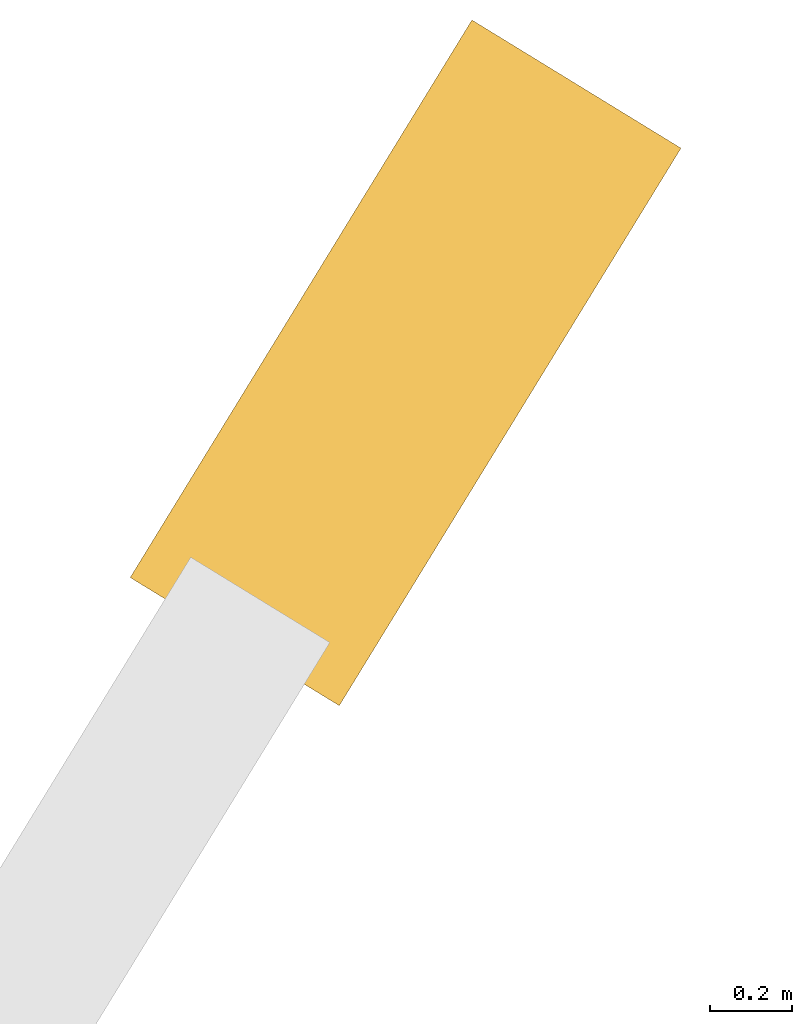
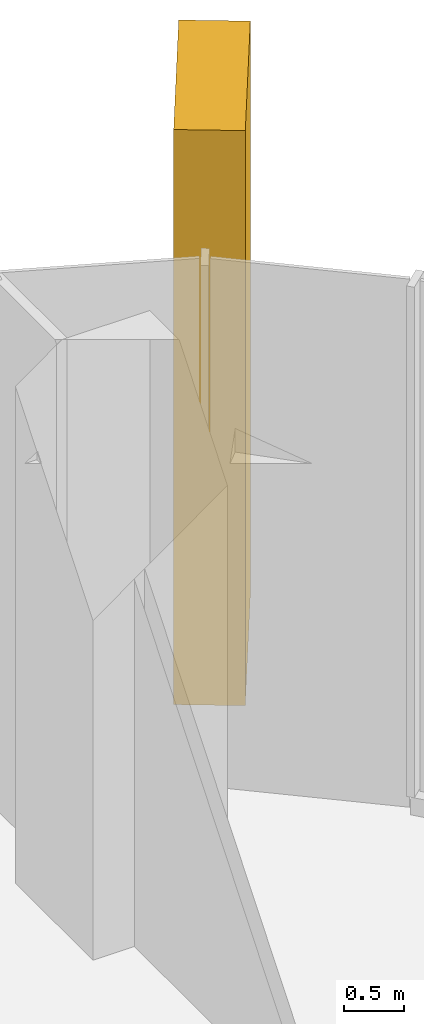
# One storey, part 18 of 18: 1 covering, 1 element without a shape of its own.
"""IFC4 building model written with IfcOpenShell, lengths in metres."""

from ifc_helpers import new_model, si_unit, direction, frame, origin, origin_2d, place, context, subcontext, project, spatial, rectangle, extrude, material, layer, layer_set, material_profile, profile_set, type_object, element, aggregate, save


model = new_model("IFC4")

# Units and contexts
model_context = context("Model", 3, precision=1e-05, world=origin(), true_north=direction((0.0, 1.0)))
body_context = subcontext(model_context, "Body", "Model", "MODEL_VIEW")
ifc_project = project(units=[si_unit("LENGTHUNIT", "METRE"), si_unit("AREAUNIT", "SQUARE_METRE"), si_unit("VOLUMEUNIT", "CUBIC_METRE"), si_unit("PLANEANGLEUNIT", "RADIAN"), si_unit("MASSUNIT", "GRAM", prefix="KILO")], contexts=[model_context])

# Site, building, storey
site_placement = place(None, origin())
site = spatial("IfcSite", under=ifc_project, at=site_placement, CompositionType="ELEMENT")
building_placement = place(site_placement, origin())
building = spatial("IfcBuilding", under=site, at=building_placement, Name="Dongbaek Canopy Tower", CompositionType="ELEMENT")
storey_placement = place(building_placement, frame((0.0, 0.0, 139.60009765625)))
storey = spatial("IfcBuildingStorey", under=building, at=storey_placement, Name="L31", CompositionType="ELEMENT", Elevation=139.60009765625)

# Curtain wall, covering
ifc_material_1 = material(Name="Aluminium 6063-T6 pale anodised", Category="aluminium")
ifc_layer = layer(ifc_material_1, 0.25)
ifc_layer_set = layer_set([ifc_layer], Name="CW-4 sky-lobby curtain wall")
curtain_wall_type = type_object("IfcCurtainWallType", Name="CW-4 sky-lobby curtain wall", PredefinedType="NOTDEFINED", material=ifc_layer_set)
curtain_wall_placement = place(storey_placement, origin())
curtain_wall = element("IfcCurtainWall", 1, at=curtain_wall_placement, inside=storey, type_object=curtain_wall_type, Name="CW-4 curtain wall K1.1", PredefinedType="NOTDEFINED")
ifc_material_2 = material(Name="Aluminium 6063-T6 pale metal fin", Category="aluminium")
ifc_material_profile = material_profile(ifc_material_2, rectangle(XDim=1.60009765625, YDim=0.60009765625, at=origin_2d()), Name="Corner fin CN1 600 x 1600 pale metal")
ifc_profile_set = profile_set([ifc_material_profile], Name="Aluminium 6063-T6 pale metal fin")
covering_type = type_object("IfcCoveringType", Name="Corner fin CN1 600 x 1600 pale metal", PredefinedType="CLADDING", material=ifc_profile_set)
covering_placement = place(storey_placement, frame((14.535400390625, 29.69140625, -0.2001953125), z_axis=(0.0, 0.0, 1.0), x_axis=(0.522608682556, 0.852572674273, 0.0)))
covering = element("IfcCovering", 2, at=covering_placement, type_object=covering_type, Name="Corner fin L31 L31 K1", PredefinedType="CLADDING", context=body_context, shape_type="SweptSolid", body=[
    extrude(rectangle(XDim=1.60009765625, YDim=0.60009765625, at=origin_2d()), origin(), (0.0, 0.0, 1.0), 5.880126953125),
])
aggregate(curtain_wall, [covering])

save(model, "model.ifc")
